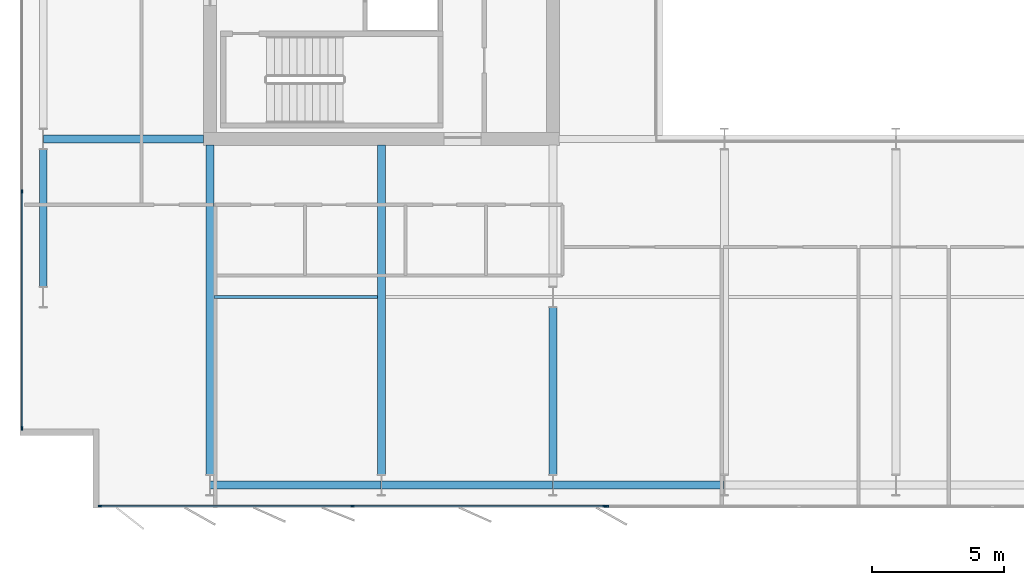
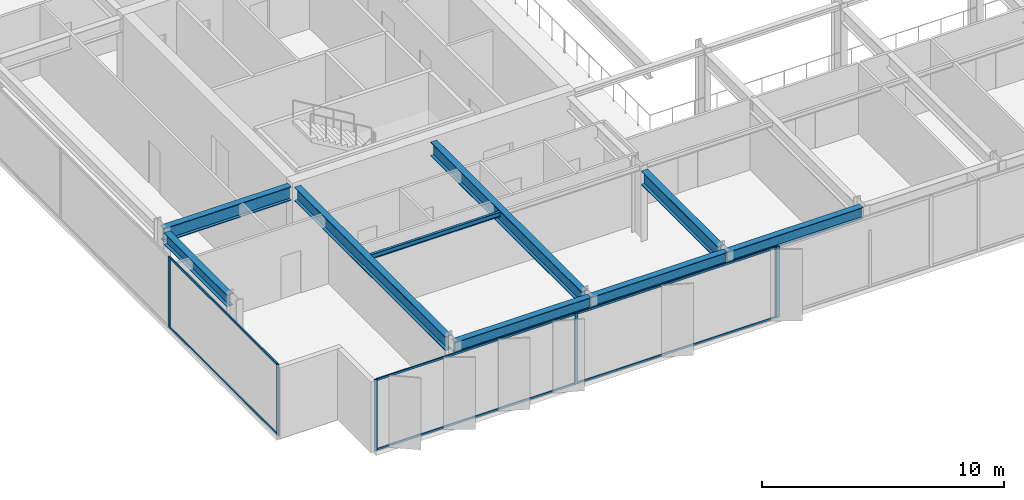
# One storey, part 3 of 24: 12 members, 9 beams, 3 elements without a shape of their own.
"""IFC4 building model written with IfcOpenShell, lengths in metres."""

from ifc_helpers import new_model, si_unit, direction, frame, origin, origin_2d, place, context, subcontext, project, spatial, rectangle, i_section, extrude, material, layer, layer_set, material_profile, profile_set, type_object, element, aggregate, save


model = new_model("IFC4")

# Units and contexts
model_context = context("Model", 3, precision=1e-05, world=origin(), true_north=direction((0.0, 1.0)))
body_context = subcontext(model_context, "Body", "Model", "MODEL_VIEW")
ifc_project = project(units=[si_unit("LENGTHUNIT", "METRE"), si_unit("AREAUNIT", "SQUARE_METRE"), si_unit("VOLUMEUNIT", "CUBIC_METRE"), si_unit("PLANEANGLEUNIT", "RADIAN"), si_unit("MASSUNIT", "GRAM", prefix="KILO")], contexts=[model_context])

# Site, building, storey
site_placement = place(None, origin())
site = spatial("IfcSite", under=ifc_project, at=site_placement, CompositionType="ELEMENT")
building_placement = place(site_placement, origin())
building = spatial("IfcBuilding", under=site, at=building_placement, Name="Putna Gate Headquarters", CompositionType="ELEMENT")
storey_placement = place(building_placement, frame((0.0, 0.0, 240.39990234375)))
storey = spatial("IfcBuildingStorey", under=building, at=storey_placement, Name="L60", CompositionType="ELEMENT", Elevation=240.39990234375)

# Beams
ifc_material_1 = material(Name="Steel S355J2", Category="steel")
ifc_material_profile_1 = material_profile(ifc_material_1, i_section(OverallWidth=0.300048828125, OverallDepth=0.699951171875, WebThickness=0.01708984375, FlangeThickness=0.031982421875, at=origin_2d()), Name="Steel S355J2")
ifc_profile_set_1 = profile_set([ifc_material_profile_1], Name="Steel S355J2")
beam_type_1 = type_object("IfcBeamType", Name="BM-GIRD-B-HEB700", PredefinedType="USERDEFINED", material=ifc_profile_set_1)
beam_1_placement = place(storey_placement, frame((6.68603515625, 19.0, 3.22998046875), z_axis=(1.0, 0.0, 0.0), x_axis=(0.0, 1.0, 0.0)))
element("IfcBeam", 1, at=beam_1_placement, inside=storey, type_object=beam_type_1, Name="L60 West Wing Girder Y19", ObjectType="GIRDER", PredefinedType="USERDEFINED", context=body_context, shape_type="SweptSolid", body=[
    extrude(i_section(OverallWidth=0.300048828125, OverallDepth=0.699951171875, WebThickness=0.01708984375, FlangeThickness=0.031982421875, at=origin_2d()), origin(), (0.0, 0.0, 1.0), 6.078857421875),
])
for number, where, z_axis, x_axis, name in (
    (2, (13.0, 6.27490234375, 3.22998046875), (0.0, 1.0, 0.0), (-1.0, 0.0, 0.0), "L60 South Primary Girder X13"),
    (3, (19.5, 6.27490234375, 3.22998046875), (0.0, 1.0, 0.0), (-1.0, 0.0, 0.0), "L60 South Primary Girder X19"),
):
    element("IfcBeam", number, at=place(storey_placement, frame(where, z_axis=z_axis, x_axis=x_axis)), inside=storey, type_object=beam_type_1, Name=name, ObjectType="GIRDER", PredefinedType="USERDEFINED", context=body_context, shape_type="SweptSolid", body=[
        extrude(i_section(OverallWidth=0.300048828125, OverallDepth=0.699951171875, WebThickness=0.01708984375, FlangeThickness=0.031982421875, at=origin_2d()), origin(), (0.0, 0.0, 1.0), 12.489990234375),
    ])
beam_2_placement = place(storey_placement, frame((26.0, 6.27490234375, 3.22998046875), z_axis=(0.0, 1.0, 0.0), x_axis=(-1.0, 0.0, 0.0)))
element("IfcBeam", 4, at=beam_2_placement, inside=storey, type_object=beam_type_1, Name="L60 South Primary Girder X26-1", ObjectType="GIRDER", PredefinedType="USERDEFINED", context=body_context, shape_type="SweptSolid", body=[
    extrude(i_section(OverallWidth=0.300048828125, OverallDepth=0.699951171875, WebThickness=0.01708984375, FlangeThickness=0.031982421875, at=origin_2d()), origin(), (0.0, 0.0, 1.0), 6.330078125),
])
ifc_material_profile_2 = material_profile(ifc_material_1, i_section(OverallWidth=0.1201171875, OverallDepth=0.239990234375, WebThickness=0.006103515625, FlangeThickness=0.009765625, at=origin_2d()), Name="Steel S355J2")
ifc_profile_set_2 = profile_set([ifc_material_profile_2], Name="Steel S355J2")
beam_type_2 = type_object("IfcBeamType", Name="BM-SEC-Z4-IPE240", PredefinedType="JOIST", material=ifc_profile_set_2)
beam_3_placement = place(storey_placement, frame((13.154052734375, 13.0, 3.460205078125), z_axis=(1.0, 0.0, 0.0), x_axis=(0.0, 1.0, 0.0)))
element("IfcBeam", 5, at=beam_3_placement, inside=storey, type_object=beam_type_2, Name="L60 South Secondary Beam 1", PredefinedType="JOIST", context=body_context, shape_type="SweptSolid", body=[
    extrude(i_section(OverallWidth=0.1201171875, OverallDepth=0.239990234375, WebThickness=0.006103515625, FlangeThickness=0.009765625, at=origin_2d()), origin(), (0.0, 0.0, 1.0), 6.19189453125),
])
ifc_material_profile_3 = material_profile(ifc_material_1, i_section(OverallWidth=0.300048828125, OverallDepth=0.590087890625, WebThickness=0.012939453125, FlangeThickness=0.02490234375, at=origin_2d()), Name="Steel S355J2")
ifc_profile_set_3 = profile_set([ifc_material_profile_3], Name="Steel S355J2")
beam_type_3 = type_object("IfcBeamType", Name="BM-SPAN-Z4-HEA600", PredefinedType="SPANDREL", material=ifc_profile_set_3)
for number, where, z_axis, x_axis, name in (
    (6, (13.006103515625, 5.8798828125, 3.28515625), (1.0, 0.0, 0.0), (0.0, 1.0, 0.0), "L60 S Perimeter Spandrel 1"),
    (7, (19.506103515625, 5.8798828125, 3.28515625), (1.0, 0.0, 0.0), (0.0, 1.0, 0.0), "L60 S Perimeter Spandrel 2"),
    (8, (26.006103515625, 5.8798828125, 3.28515625), (1.0, 0.0, 0.0), (0.0, 1.0, 0.0), "L60 S Perimeter Spandrel 3"),
):
    element("IfcBeam", number, at=place(storey_placement, frame(where, z_axis=z_axis, x_axis=x_axis)), inside=storey, type_object=beam_type_3, Name=name, PredefinedType="SPANDREL", context=body_context, shape_type="SweptSolid", body=[
        extrude(i_section(OverallWidth=0.300048828125, OverallDepth=0.590087890625, WebThickness=0.012939453125, FlangeThickness=0.02490234375, at=origin_2d()), origin(), (0.0, 0.0, 1.0), 6.48779296875),
    ])
beam_4_placement = place(storey_placement, frame((6.679931640625, 13.39501953125, 3.28515625), z_axis=(0.0, 1.0, 0.0), x_axis=(-1.0, 0.0, 0.0)))
element("IfcBeam", 9, at=beam_4_placement, inside=storey, type_object=beam_type_3, Name="L60 W End Spandrel 1", PredefinedType="SPANDREL", context=body_context, shape_type="SweptSolid", body=[
    extrude(i_section(OverallWidth=0.300048828125, OverallDepth=0.590087890625, WebThickness=0.012939453125, FlangeThickness=0.02490234375, at=origin_2d()), origin(), (0.0, 0.0, 1.0), 5.2099609375),
])

# Curtain wall, members
ifc_material_2 = material(Name="Anodised bronze aluminium curtain wall", Category="aluminium")
ifc_layer_1 = layer(ifc_material_2, 0.139892578125)
ifc_layer_set_1 = layer_set([ifc_layer_1], Name="Anodised bronze aluminium curtain wall")
curtain_wall_type_1 = type_object("IfcCurtainWallType", Name="CW-SYS-Z4", PredefinedType="USERDEFINED", material=ifc_layer_set_1)
curtain_wall_1_placement = place(storey_placement, origin())
curtain_wall_1 = element("IfcCurtainWall", 10, at=curtain_wall_1_placement, inside=storey, type_object=curtain_wall_type_1, Name="L60 South West Curtain Wall", ObjectType="STICK CURTAIN WALL", PredefinedType="USERDEFINED")
ifc_material_3 = material(Name="Anodised bronze aluminium EN AW-6060", Category="aluminium")
ifc_material_profile_4 = material_profile(ifc_material_3, rectangle(XDim=0.06005859375, YDim=0.139892578125, at=origin_2d()), Name="Anodised bronze aluminium EN AW-6060")
ifc_profile_set_4 = profile_set([ifc_material_profile_4], Name="Anodised bronze aluminium EN AW-6060")
member_type_1 = type_object("IfcMemberType", Name="MULL-CWM-4", PredefinedType="MULLION", material=ifc_profile_set_4)
member_1_placement = place(storey_placement, frame((8.830078125, 5.080078125, 0.0), z_axis=(0.0, 0.0, 1.0), x_axis=(0.0, 1.0, 0.0)))
member_1 = element("IfcMember", 11, at=member_1_placement, type_object=member_type_1, Name="CWS-4 mullion 1", PredefinedType="MULLION", context=body_context, shape_type="SweptSolid", body=[
    extrude(rectangle(XDim=0.06005859375, YDim=0.139892578125, at=origin_2d()), origin(), (0.0, 0.0, 1.0), 3.580078125),
])
member_2_placement = place(storey_placement, frame((18.39990234375, 5.080078125, 0.0), z_axis=(0.0, 0.0, 1.0), x_axis=(0.0, 1.0, 0.0)))
member_2 = element("IfcMember", 12, at=member_2_placement, type_object=member_type_1, Name="CWS-4 mullion 2", PredefinedType="MULLION", context=body_context, shape_type="SweptSolid", body=[
    extrude(rectangle(XDim=0.06005859375, YDim=0.139892578125, at=origin_2d()), origin(), (0.0, 0.0, 1.0), 3.580078125),
])
member_3_placement = place(storey_placement, frame((27.969970703125, 5.080078125, 0.0), z_axis=(0.0, 0.0, 1.0), x_axis=(0.0, 1.0, 0.0)))
member_3 = element("IfcMember", 13, at=member_3_placement, type_object=member_type_1, Name="CWS-4 mullion 3", PredefinedType="MULLION", context=body_context, shape_type="SweptSolid", body=[
    extrude(rectangle(XDim=0.06005859375, YDim=0.139892578125, at=origin_2d()), origin(), (0.0, 0.0, 1.0), 3.580078125),
])

curtain_wall_2_placement = place(storey_placement, origin())
curtain_wall_2 = element("IfcCurtainWall", 14, at=curtain_wall_2_placement, inside=storey, type_object=curtain_wall_type_1, Name="L60 West Curtain Wall", ObjectType="STICK CURTAIN WALL", PredefinedType="USERDEFINED")
member_4_placement = place(storey_placement, frame((5.8798828125, 8.030029296875, 0.0), z_axis=(0.0, 0.0, 1.0), x_axis=(-1.0, 0.0, 0.0)))
member_4 = element("IfcMember", 15, at=member_4_placement, type_object=member_type_1, Name="CWS-4 mullion 1", PredefinedType="MULLION", context=body_context, shape_type="SweptSolid", body=[
    extrude(rectangle(XDim=0.06005859375, YDim=0.139892578125, at=origin_2d()), origin(), (0.0, 0.0, 1.0), 3.580078125),
])
member_5_placement = place(storey_placement, frame((5.8798828125, 17.0, 0.0), z_axis=(0.0, 0.0, 1.0), x_axis=(-1.0, 0.0, 0.0)))
member_5 = element("IfcMember", 16, at=member_5_placement, type_object=member_type_1, Name="CWS-4 mullion 2", PredefinedType="MULLION", context=body_context, shape_type="SweptSolid", body=[
    extrude(rectangle(XDim=0.06005859375, YDim=0.139892578125, at=origin_2d()), origin(), (0.0, 0.0, 1.0), 3.580078125),
])

# Curtain wall, member
ifc_layer_2 = layer(ifc_material_2, 0.179931640625)
ifc_layer_set_2 = layer_set([ifc_layer_2], Name="Anodised bronze aluminium curtain wall")
curtain_wall_type_2 = type_object("IfcCurtainWallType", Name="CW-SYS-ATR", PredefinedType="USERDEFINED", material=ifc_layer_set_2)
curtain_wall_3_placement = place(storey_placement, origin())
curtain_wall_3 = element("IfcCurtainWall", 17, at=curtain_wall_3_placement, inside=storey, type_object=curtain_wall_type_2, Name="L60 South Atrium Clear Glazing", ObjectType="ATRIUM GLAZING", PredefinedType="USERDEFINED")
ifc_material_profile_5 = material_profile(ifc_material_3, rectangle(XDim=0.070068359375, YDim=0.179931640625, at=origin_2d()), Name="Anodised bronze aluminium EN AW-6060")
ifc_profile_set_5 = profile_set([ifc_material_profile_5], Name="Anodised bronze aluminium EN AW-6060")
member_type_2 = type_object("IfcMemberType", Name="MULL-CWM-AT", PredefinedType="MULLION", material=ifc_profile_set_5)
member_6_placement = place(storey_placement, frame((28.034912109375, 5.080078125, 0.0), z_axis=(0.0, 0.0, 1.0), x_axis=(0.0, 1.0, 0.0)))
member_6 = element("IfcMember", 18, at=member_6_placement, type_object=member_type_2, Name="CWS-AT mullion 1", PredefinedType="MULLION", context=body_context, shape_type="SweptSolid", body=[
    extrude(rectangle(XDim=0.070068359375, YDim=0.179931640625, at=origin_2d()), origin(), (0.0, 0.0, 1.0), 3.580078125),
])
aggregate(curtain_wall_3, [member_6])

# Member
ifc_material_profile_6 = material_profile(ifc_material_3, rectangle(XDim=0.06005859375, YDim=0.10009765625, at=origin_2d()), Name="Anodised bronze aluminium EN AW-6060")
ifc_profile_set_6 = profile_set([ifc_material_profile_6], Name="Anodised bronze aluminium EN AW-6060")
member_type_3 = type_object("IfcMemberType", Name="TRAN-CWT-4", PredefinedType="USERDEFINED", material=ifc_profile_set_6)
member_7_placement = place(storey_placement, frame((8.860107421875, 5.080078125, 0.030029296875), z_axis=(1.0, 0.0, 0.0), x_axis=(0.0, 1.0, 0.0)))
member_7 = element("IfcMember", 19, at=member_7_placement, type_object=member_type_3, Name="CWS-4 transom 1.1", ObjectType="TRANSOM", PredefinedType="USERDEFINED", context=body_context, shape_type="SweptSolid", body=[
    extrude(rectangle(XDim=0.06005859375, YDim=0.10009765625, at=origin_2d()), origin(), (0.0, 0.0, 1.0), 9.510009765625),
])

member_8_placement = place(storey_placement, frame((8.860107421875, 5.080078125, 3.550048828125), z_axis=(1.0, 0.0, 0.0), x_axis=(0.0, 1.0, 0.0)))
member_8 = element("IfcMember", 20, at=member_8_placement, type_object=member_type_3, Name="CWS-4 transom 1.2", ObjectType="TRANSOM", PredefinedType="USERDEFINED", context=body_context, shape_type="SweptSolid", body=[
    extrude(rectangle(XDim=0.06005859375, YDim=0.10009765625, at=origin_2d()), origin(), (0.0, 0.0, 1.0), 9.510009765625),
])

member_9_placement = place(storey_placement, frame((18.429931640625, 5.080078125, 0.030029296875), z_axis=(1.0, 0.0, 0.0), x_axis=(0.0, 1.0, 0.0)))
member_9 = element("IfcMember", 21, at=member_9_placement, type_object=member_type_3, Name="CWS-4 transom 2.1", ObjectType="TRANSOM", PredefinedType="USERDEFINED", context=body_context, shape_type="SweptSolid", body=[
    extrude(rectangle(XDim=0.06005859375, YDim=0.10009765625, at=origin_2d()), origin(), (0.0, 0.0, 1.0), 9.510009765625),
])

member_10_placement = place(storey_placement, frame((18.429931640625, 5.080078125, 3.550048828125), z_axis=(1.0, 0.0, 0.0), x_axis=(0.0, 1.0, 0.0)))
member_10 = element("IfcMember", 22, at=member_10_placement, type_object=member_type_3, Name="CWS-4 transom 2.2", ObjectType="TRANSOM", PredefinedType="USERDEFINED", context=body_context, shape_type="SweptSolid", body=[
    extrude(rectangle(XDim=0.06005859375, YDim=0.10009765625, at=origin_2d()), origin(), (0.0, 0.0, 1.0), 9.510009765625),
])

aggregate(curtain_wall_1, [member_1, member_2, member_3, member_7, member_8, member_9, member_10])

member_11_placement = place(storey_placement, frame((5.8798828125, 8.06005859375, 0.030029296875), z_axis=(0.0, 1.0, 0.0), x_axis=(-1.0, 0.0, 0.0)))
member_11 = element("IfcMember", 23, at=member_11_placement, type_object=member_type_3, Name="CWS-4 transom 1.1", ObjectType="TRANSOM", PredefinedType="USERDEFINED", context=body_context, shape_type="SweptSolid", body=[
    extrude(rectangle(XDim=0.06005859375, YDim=0.10009765625, at=origin_2d()), origin(), (0.0, 0.0, 1.0), 8.909912109375),
])

member_12_placement = place(storey_placement, frame((5.8798828125, 8.06005859375, 3.550048828125), z_axis=(0.0, 1.0, 0.0), x_axis=(-1.0, 0.0, 0.0)))
member_12 = element("IfcMember", 24, at=member_12_placement, type_object=member_type_3, Name="CWS-4 transom 1.2", ObjectType="TRANSOM", PredefinedType="USERDEFINED", context=body_context, shape_type="SweptSolid", body=[
    extrude(rectangle(XDim=0.06005859375, YDim=0.10009765625, at=origin_2d()), origin(), (0.0, 0.0, 1.0), 8.909912109375),
])

aggregate(curtain_wall_2, [member_4, member_5, member_11, member_12])

save(model, "model.ifc")
